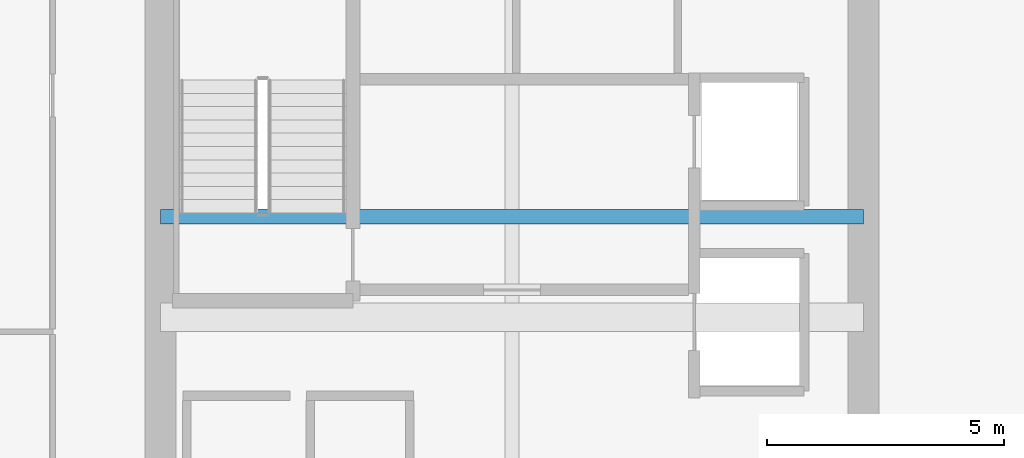
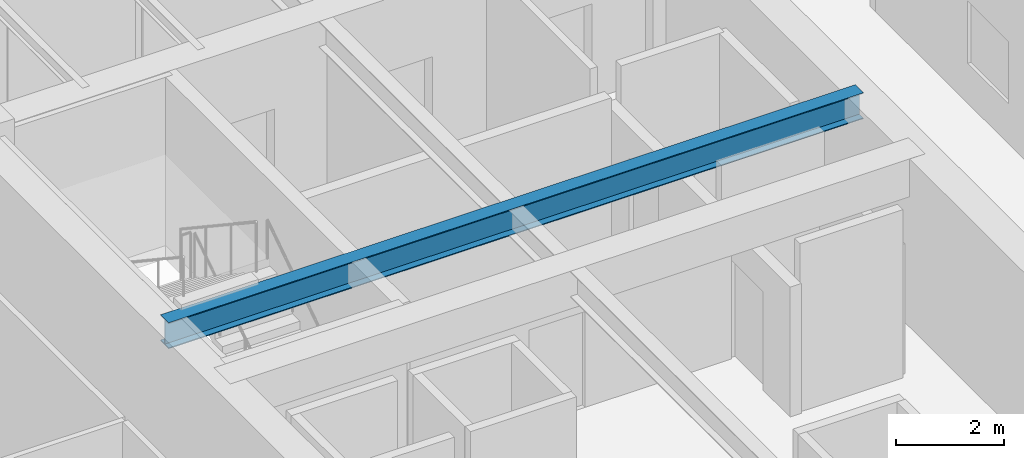
# One storey, part 9 of 33: 1 beam.
"""IFC4 building model written with IfcOpenShell, lengths in metres."""

from ifc_helpers import new_model, si_unit, direction, frame, origin, origin_2d, place, context, subcontext, project, spatial, i_section, extrude, source, transform, mapped, material, material_profile, profile_set, type_object, type_shapes, element, save


model = new_model("IFC4")

# Units and contexts
model_context = context("Model", 3, precision=1e-05, world=origin(), true_north=direction((0.0, 1.0)))
body_context = subcontext(model_context, "Body", "Model", "MODEL_VIEW")
ifc_project = project(units=[si_unit("LENGTHUNIT", "METRE"), si_unit("AREAUNIT", "SQUARE_METRE"), si_unit("VOLUMEUNIT", "CUBIC_METRE"), si_unit("PLANEANGLEUNIT", "RADIAN"), si_unit("MASSUNIT", "GRAM", prefix="KILO")], contexts=[model_context])

# Site, building, storey
site_placement = place(None, origin())
site = spatial("IfcSite", under=ifc_project, at=site_placement, CompositionType="ELEMENT")
building_placement = place(site_placement, origin())
building = spatial("IfcBuilding", under=site, at=building_placement, Name="Haelvirn Gate Laboratories", CompositionType="ELEMENT")
storey_placement = place(building_placement, frame((0.0, 0.0, 166.60009765625)))
storey = spatial("IfcBuildingStorey", under=building, at=storey_placement, Name="L40", CompositionType="ELEMENT", Elevation=166.60009765625)

# Beam
ifc_material = material(Name="Steel SM355", Category="steel")
ifc_material_profile = material_profile(ifc_material, i_section(OverallWidth=0.300048828125, OverallDepth=0.587890625, WebThickness=0.011962890625, FlangeThickness=0.02001953125, at=origin_2d()), Name="H-588x300x12x20")
ifc_profile_set = profile_set([ifc_material_profile], Name="Steel SM355")
beam_type = type_object("IfcBeamType", Name="BM-G-588", PredefinedType="BEAM", material=ifc_profile_set)
shared_shape = source(origin(), body_context, "Body", "SweptSolid", [
    extrude(i_section(OverallWidth=0.300048828125, OverallDepth=0.587890625, WebThickness=0.011962890625, FlangeThickness=0.02001953125, at=origin_2d()), origin(), (0.0, 0.0, 1.0), 14.800048828125),
])
type_shapes(beam_type, [shared_shape])
beam_placement = place(storey_placement, frame((7.39990234375, 26.6201171875, 3.495849609375), z_axis=(1.0, 0.0, 0.0), x_axis=(0.0, 1.0, 0.0)))
element("IfcBeam", 1, at=beam_placement, inside=storey, type_object=beam_type, Name="L40 Stair ST1 Landing Header", PredefinedType="BEAM", context=body_context, shape_type="MappedRepresentation", body=[
    mapped(shared_shape, transform((0.0, 0.0, 0.0), scale=1.0)),
])

save(model, "model.ifc")
